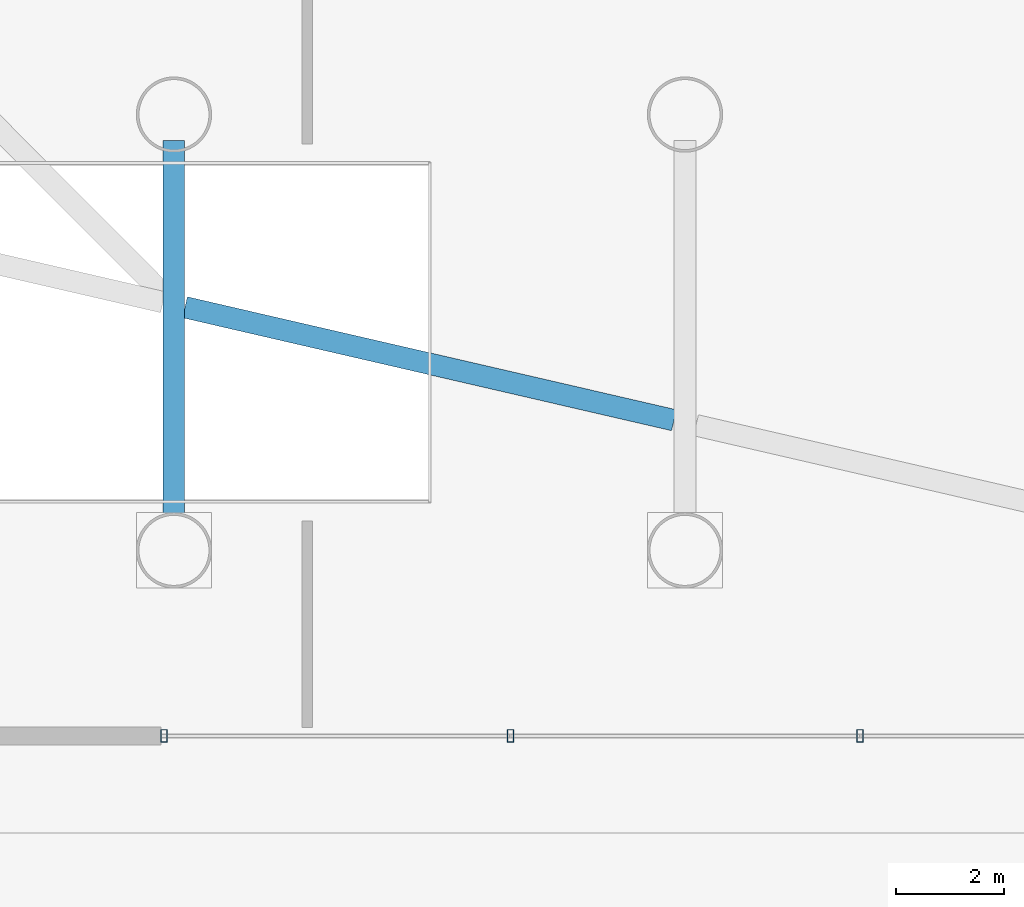
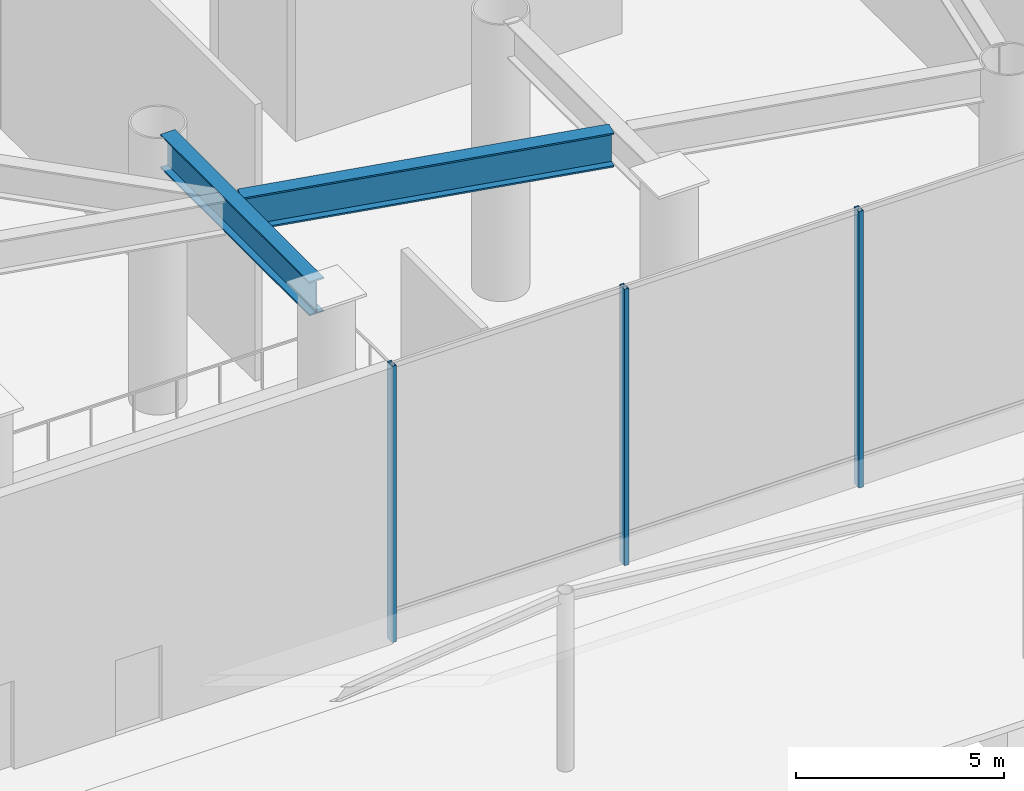
# One storey, part 9 of 28: 3 members, 2 beams, 1 element without a shape of its own.
"""IFC4 building model written with IfcOpenShell, lengths in metres."""

from ifc_helpers import new_model, si_unit, direction, frame, origin, origin_2d, place, context, subcontext, project, spatial, hollow_rectangle, i_section, extrude, material, layer, layer_set, material_profile, profile_set, type_object, element, aggregate, save


model = new_model("IFC4")

# Units and contexts
model_context = context("Model", 3, precision=1e-05, world=origin(), true_north=direction((0.0, 1.0)))
body_context = subcontext(model_context, "Body", "Model", "MODEL_VIEW")
ifc_project = project(units=[si_unit("LENGTHUNIT", "METRE"), si_unit("AREAUNIT", "SQUARE_METRE"), si_unit("VOLUMEUNIT", "CUBIC_METRE"), si_unit("PLANEANGLEUNIT", "RADIAN"), si_unit("MASSUNIT", "GRAM", prefix="KILO")], contexts=[model_context])

# Site, building, storey
site_placement = place(None, origin())
site = spatial("IfcSite", under=ifc_project, at=site_placement, CompositionType="ELEMENT")
building_placement = place(site_placement, origin())
building = spatial("IfcBuilding", under=site, at=building_placement, Name="Tavrogorsk Clinical Tower", CompositionType="ELEMENT")
storey_placement = place(building_placement, origin())
storey = spatial("IfcBuildingStorey", under=building, at=storey_placement, Name="L00", CompositionType="ELEMENT", Elevation=0.0)

# Curtain wall, members
ifc_material_1 = material(Name="Anodised aluminium and triple IGU glazing", Category="aluminium")
ifc_layer = layer(ifc_material_1, 0.179931640625)
ifc_layer_set = layer_set([ifc_layer], Name="Anodised aluminium and triple IGU glazing")
curtain_wall_type = type_object("IfcCurtainWallType", Name="CW1_LobbyStick", PredefinedType="NOTDEFINED", material=ifc_layer_set)
curtain_wall_placement = place(storey_placement, origin())
curtain_wall = element("IfcCurtainWall", 1, at=curtain_wall_placement, inside=storey, type_object=curtain_wall_type, Name="L00 Curtain Wall CW-L00-S1", PredefinedType="NOTDEFINED")
ifc_material_2 = material(Name="Anodised aluminium alloy AW-6060", Category="aluminium")
ifc_material_profile_1 = material_profile(ifc_material_2, hollow_rectangle(XDim=0.1201171875, YDim=0.239990234375, WallThickness=0.008056640625, at=origin_2d()), Name="RHS-240x120x8")
ifc_profile_set_1 = profile_set([ifc_material_profile_1], Name="Anodised aluminium alloy AW-6060")
member_type = type_object("IfcMemberType", Name="CwMullion_240x120", PredefinedType="MULLION", material=ifc_profile_set_1)
member_1_placement = place(storey_placement, frame((-12.944091796875, -33.0, 0.0), z_axis=(0.0, 0.0, 1.0), x_axis=(1.0, 0.0, 0.0)))
member_1 = element("IfcMember", 2, at=member_1_placement, type_object=member_type, Name="CW-L00-S1 Mullion 1", PredefinedType="MULLION", context=body_context, shape_type="SweptSolid", body=[
    extrude(hollow_rectangle(XDim=0.1201171875, YDim=0.239990234375, WallThickness=0.008056640625, at=origin_2d()), origin(), (0.0, 0.0, 1.0), 8.10009765625),
])
member_2_placement = place(storey_placement, frame((-6.501953125, -33.0, 0.0), z_axis=(0.0, 0.0, 1.0), x_axis=(1.0, 0.0, 0.0)))
member_2 = element("IfcMember", 3, at=member_2_placement, type_object=member_type, Name="CW-L00-S1 Mullion 2", PredefinedType="MULLION", context=body_context, shape_type="SweptSolid", body=[
    extrude(hollow_rectangle(XDim=0.1201171875, YDim=0.239990234375, WallThickness=0.008056640625, at=origin_2d()), origin(), (0.0, 0.0, 1.0), 8.10009765625),
])
member_3_placement = place(storey_placement, frame((0.0, -33.0, 0.0), z_axis=(0.0, 0.0, 1.0), x_axis=(1.0, 0.0, 0.0)))
member_3 = element("IfcMember", 4, at=member_3_placement, type_object=member_type, Name="CW-L00-S1 Mullion 3", PredefinedType="MULLION", context=body_context, shape_type="SweptSolid", body=[
    extrude(hollow_rectangle(XDim=0.1201171875, YDim=0.239990234375, WallThickness=0.008056640625, at=origin_2d()), origin(), (0.0, 0.0, 1.0), 8.10009765625),
])
aggregate(curtain_wall, [member_1, member_2, member_3])

# Beams
ifc_material_3 = material(Name="Structural steel S440", Category="steel")
ifc_material_profile_2 = material_profile(ifc_material_3, i_section(OverallWidth=0.39990234375, OverallDepth=1.0, WebThickness=0.028076171875, FlangeThickness=0.044921875, at=origin_2d()), Name="DK-1000x400x28x45")
ifc_profile_set_2 = profile_set([ifc_material_profile_2], Name="Structural steel S440")
beam_type = type_object("IfcBeamType", Name="TransferGirder_DK1000", PredefinedType="USERDEFINED", material=ifc_profile_set_2)
beam_1_placement = place(storey_placement, frame((-12.755126953125, -29.070068359375, 7.60009765625), z_axis=(0.0, 1.0, 0.0), x_axis=(-1.0, 0.0, 0.0)))
element("IfcBeam", 5, at=beam_1_placement, inside=storey, type_object=beam_type, Name="L00 Ramp Portal Transfer Girder S4", ObjectType="GIRDER", PredefinedType="USERDEFINED", context=body_context, shape_type="SweptSolid", body=[
    extrude(i_section(OverallWidth=0.39990234375, OverallDepth=1.0, WebThickness=0.028076171875, FlangeThickness=0.044921875, at=origin_2d()), origin(), (0.0, 0.0, 1.0), 7.14013671875),
])
beam_2_placement = place(storey_placement, frame((-12.550537109375, -25.031982421875, 7.60009765625), z_axis=(0.974366930528, -0.224964629873, 0.0), x_axis=(0.224964629873, 0.974366930528, 0.0)))
element("IfcBeam", 6, at=beam_2_placement, inside=storey, type_object=beam_type, Name="L00 Perimeter Stilt Ring Girder S4-S5", ObjectType="GIRDER", PredefinedType="USERDEFINED", context=body_context, shape_type="SweptSolid", body=[
    extrude(i_section(OverallWidth=0.39990234375, OverallDepth=1.0, WebThickness=0.028076171875, FlangeThickness=0.044921875, at=origin_2d()), origin(), (0.0, 0.0, 1.0), 9.32861328125),
])

save(model, "model.ifc")
